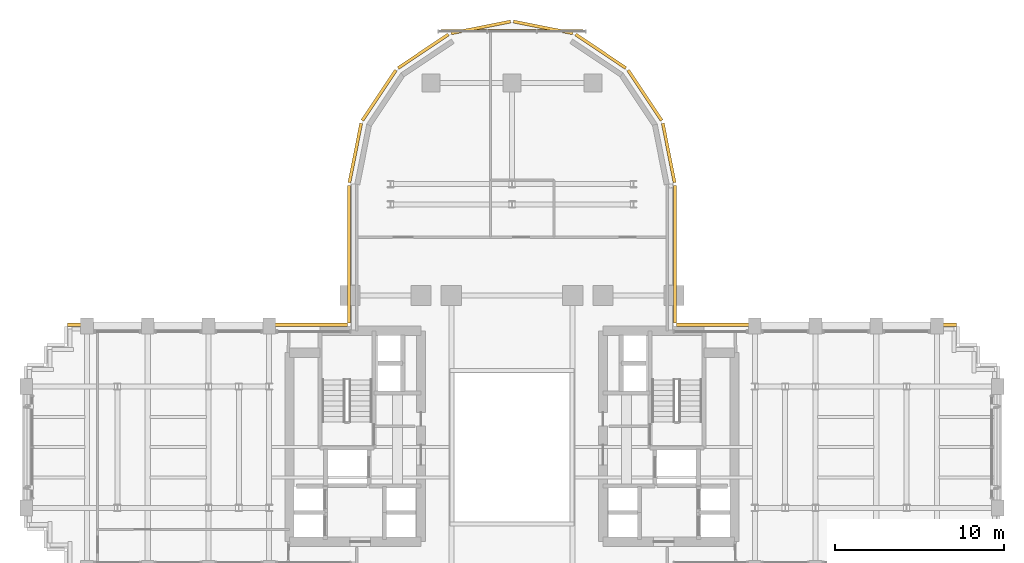
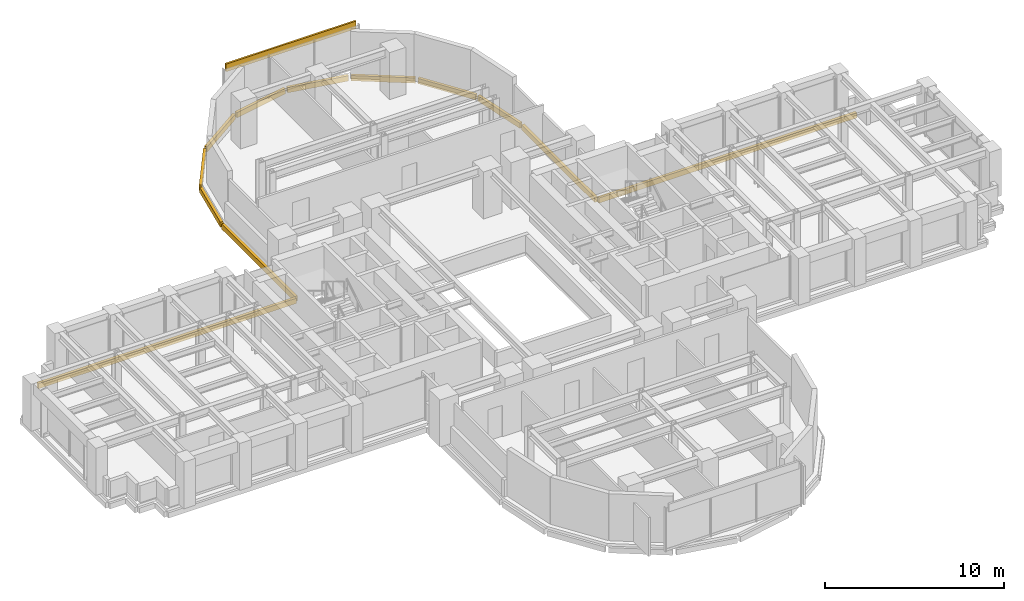
# One storey, part 16 of 16: 13 coverings.
"""IFC4 building model written with IfcOpenShell, lengths in metres."""

from ifc_helpers import new_model, si_unit, direction, frame, origin, origin_2d, place, context, subcontext, project, spatial, rectangle, extrude, source, transform, mapped, material, layer, layer_set, type_object, element, save


model = new_model("IFC4")

# Units and contexts
model_context = context("Model", 3, precision=1e-05, world=origin(), true_north=direction((0.0, 1.0)))
body_context = subcontext(model_context, "Body", "Model", "MODEL_VIEW")
ifc_project = project(units=[si_unit("LENGTHUNIT", "METRE"), si_unit("AREAUNIT", "SQUARE_METRE"), si_unit("VOLUMEUNIT", "CUBIC_METRE"), si_unit("PLANEANGLEUNIT", "RADIAN"), si_unit("MASSUNIT", "GRAM", prefix="KILO")], contexts=[model_context])

# Site, building, storey
site_placement = place(None, origin())
site = spatial("IfcSite", under=ifc_project, at=site_placement, CompositionType="ELEMENT")
building_placement = place(site_placement, origin())
building = spatial("IfcBuilding", under=site, at=building_placement, Name="Keilestroom Media Tower", CompositionType="ELEMENT")
storey_placement = place(building_placement, frame((0.0, 0.0, 78.199951171875)))
storey = spatial("IfcBuildingStorey", under=building, at=storey_placement, Name="L20", CompositionType="ELEMENT", Elevation=78.199951171875)

# Coverings
ifc_material = material(Name="Precast concrete C40/50", Category="concrete")
ifc_layer = layer(ifc_material, 0.1201171875)
ifc_layer_set = layer_set([ifc_layer], Name="Precast concrete C40/50")
covering_type = type_object("IfcCoveringType", Name="Exterior-Precast-Spandrel-Cladding-Panel-120", PredefinedType="CLADDING", material=ifc_layer_set)
shared_shape_1 = source(origin(), body_context, "Body", "SweptSolid", [
    extrude(rectangle(XDim=8.39990234375, YDim=0.1201171875, at=origin_2d()), origin(), (0.0, 0.0, 1.0), 0.52001953125),
])
covering_placement = place(storey_placement, frame((0.0, 24.719970703125, 2.68994140625), z_axis=(0.0, 0.0, 1.0), x_axis=(1.0, 0.0, 0.0)))
element("IfcCovering", 1, at=covering_placement, inside=storey, type_object=covering_type, Name="L20 Precast Spandrel Cladding N", PredefinedType="CLADDING", context=body_context, shape_type="MappedRepresentation", body=[
    mapped(shared_shape_1, transform((0.0, 0.0, 0.0), x_axis=(1.0, 0.0, 0.0), y_axis=(0.0, 1.0, 0.0), z_axis=(0.0, 0.0, 1.0), scale=1.0)),
])
shared_shape_2 = source(origin(), body_context, "Body", "SweptSolid", [
    extrude(rectangle(XDim=16.6201171875, YDim=0.179931640625, at=origin_2d()), origin(), (0.0, 0.0, 1.0), 0.360107421875),
])
for number, where, z_axis, x_axis, name in (
    (2, (-18.06005859375, 7.260009765625, -0.5400390625), (0.0, 0.0, 1.0), (1.0, 0.0, 0.0), "L20 Precast Slab-Edge Fascia Cornice 26"),
    (3, (18.06005859375, 7.260009765625, -0.5400390625), (0.0, 0.0, 1.0), (1.0, 0.0, 0.0), "L20 Precast Slab-Edge Fascia Cornice 37"),
):
    element("IfcCovering", number, at=place(storey_placement, frame(where, z_axis=z_axis, x_axis=x_axis)), inside=storey, type_object=covering_type, Name=name, PredefinedType="CLADDING", context=body_context, shape_type="MappedRepresentation", body=[
        mapped(shared_shape_2, transform((0.0, 0.0, 0.0), x_axis=(1.0, 0.0, 0.0), y_axis=(0.0, 1.0, 0.0), z_axis=(0.0, 0.0, 1.0), scale=1.0)),
    ])
shared_shape_3 = source(origin(), body_context, "Body", "SweptSolid", [
    extrude(rectangle(XDim=8.166015625, YDim=0.179931640625, at=origin_2d()), origin(), (0.0, 0.0, 1.0), 0.360107421875),
])
for number, where, z_axis, x_axis, name in (
    (4, (-9.659912109375, 11.43310546875, -0.5400390625), (0.0, 0.0, 1.0), (0.0, 1.0, 0.0), "L20 Precast Slab-Edge Fascia Cornice 27"),
    (5, (9.659912109375, 11.43310546875, -0.5400390625), (0.0, 0.0, 1.0), (0.0, -1.0, 0.0), "L20 Precast Slab-Edge Fascia Cornice 36"),
):
    element("IfcCovering", number, at=place(storey_placement, frame(where, z_axis=z_axis, x_axis=x_axis)), inside=storey, type_object=covering_type, Name=name, PredefinedType="CLADDING", context=body_context, shape_type="MappedRepresentation", body=[
        mapped(shared_shape_3, transform((0.0, 0.0, 0.0), x_axis=(1.0, 0.0, 0.0), y_axis=(0.0, 1.0, 0.0), z_axis=(0.0, 0.0, 1.0), scale=1.0)),
    ])
shared_shape_4 = source(origin(), body_context, "Body", "SweptSolid", [
    extrude(rectangle(XDim=3.58349609375, YDim=0.179931640625, at=origin_2d()), origin(), (0.0, 0.0, 1.0), 0.360107421875),
])
for number, where, z_axis, x_axis, name in (
    (6, (-9.29296875, 17.45166015625, -0.5400390625), (0.0, 0.0, 1.0), (0.195098880975, 0.980783577882, 0.0), "L20 Precast Slab-Edge Fascia Cornice 28"),
    (7, (9.29296875, 17.45166015625, -0.5400390625), (0.0, 0.0, 1.0), (0.195098880975, -0.980783577882, 0.0), "L20 Precast Slab-Edge Fascia Cornice 35"),
):
    element("IfcCovering", number, at=place(storey_placement, frame(where, z_axis=z_axis, x_axis=x_axis)), inside=storey, type_object=covering_type, Name=name, PredefinedType="CLADDING", context=body_context, shape_type="MappedRepresentation", body=[
        mapped(shared_shape_4, transform((0.0, 0.0, 0.0), x_axis=(1.0, 0.0, 0.0), y_axis=(0.0, 1.0, 0.0), z_axis=(0.0, 0.0, 1.0), scale=1.0)),
    ])
shared_shape_5 = source(origin(), body_context, "Body", "SweptSolid", [
    extrude(rectangle(XDim=3.589599609375, YDim=0.179931640625, at=origin_2d()), origin(), (0.0, 0.0, 1.0), 0.360107421875),
])
for number, where, z_axis, x_axis, name in (
    (8, (-7.878662109375, 20.8642578125, -0.5400390625), (0.0, 0.0, 1.0), (0.555574586577, 0.831466703332, 0.0), "L20 Precast Slab-Edge Fascia Cornice 29"),
    (9, (-5.264404296875, 23.478515625, -0.5400390625), (0.0, 0.0, 1.0), (0.831466703332, 0.555574586577, 0.0), "L20 Precast Slab-Edge Fascia Cornice 30"),
    (10, (-1.8486328125, 24.893310546875, -0.5400390625), (0.0, 0.0, 1.0), (0.980783577882, 0.195098880975, 0.0), "L20 Precast Slab-Edge Fascia Cornice 31"),
    (11, (1.8486328125, 24.893310546875, -0.5400390625), (0.0, 0.0, 1.0), (0.980783577882, -0.195098880975, 0.0), "L20 Precast Slab-Edge Fascia Cornice 32"),
    (12, (5.264404296875, 23.478515625, -0.5400390625), (0.0, 0.0, 1.0), (0.831466703332, -0.555574586577, 0.0), "L20 Precast Slab-Edge Fascia Cornice 33"),
    (13, (7.878662109375, 20.8642578125, -0.5400390625), (0.0, 0.0, 1.0), (0.555574586577, -0.831466703332, 0.0), "L20 Precast Slab-Edge Fascia Cornice 34"),
):
    element("IfcCovering", number, at=place(storey_placement, frame(where, z_axis=z_axis, x_axis=x_axis)), inside=storey, type_object=covering_type, Name=name, PredefinedType="CLADDING", context=body_context, shape_type="MappedRepresentation", body=[
        mapped(shared_shape_5, transform((0.0, 0.0, 0.0), x_axis=(1.0, 0.0, 0.0), y_axis=(0.0, 1.0, 0.0), z_axis=(0.0, 0.0, 1.0), scale=1.0)),
    ])

save(model, "model.ifc")
